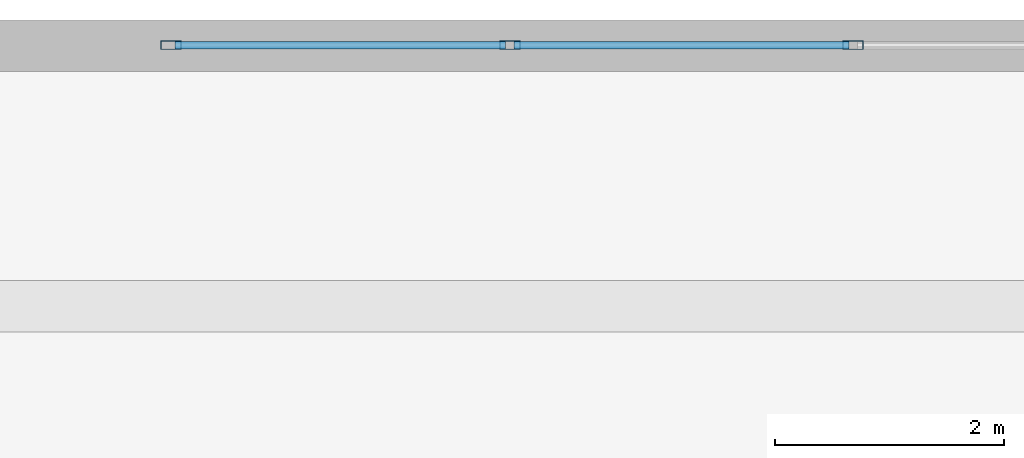
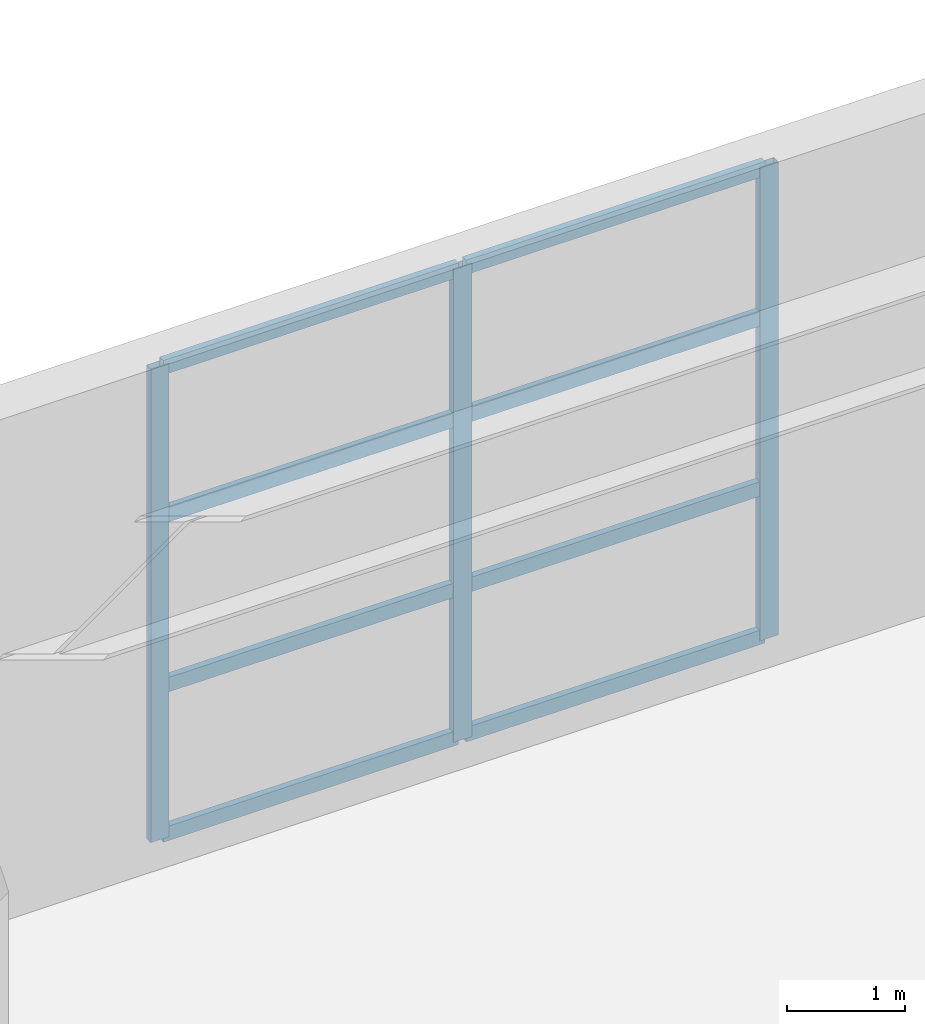
# One storey, part 18 of 35: 11 members, 1 element without a shape of its own.
"""IFC4 building model written with IfcOpenShell, lengths in metres."""

from ifc_helpers import new_model, si_unit, direction, frame, origin, origin_2d, place, context, subcontext, project, spatial, hollow_rectangle, extrude, material, layer, layer_set, material_profile, profile_set, type_object, element, aggregate, save


model = new_model("IFC4")

# Units and contexts
model_context = context("Model", 3, precision=1e-05, world=origin(), true_north=direction((0.0, 1.0)))
body_context = subcontext(model_context, "Body", "Model", "MODEL_VIEW")
ifc_project = project(units=[si_unit("LENGTHUNIT", "METRE"), si_unit("AREAUNIT", "SQUARE_METRE"), si_unit("VOLUMEUNIT", "CUBIC_METRE"), si_unit("PLANEANGLEUNIT", "RADIAN"), si_unit("MASSUNIT", "GRAM", prefix="KILO")], contexts=[model_context])

# Site, building, storey
site_placement = place(None, origin())
site = spatial("IfcSite", under=ifc_project, at=site_placement, CompositionType="ELEMENT")
building_placement = place(site_placement, origin())
building = spatial("IfcBuilding", under=site, at=building_placement, Name="Qiaolan Cultural Towers", CompositionType="ELEMENT")
storey_placement = place(building_placement, frame((0.0, 0.0, 6.0)))
storey = spatial("IfcBuildingStorey", under=building, at=storey_placement, Name="L01", CompositionType="ELEMENT", Elevation=6.0)

# Curtain wall, members
ifc_material_1 = material(Name="Unitized Anodized Aluminium Curtain Wall System", Category="aluminium")
ifc_layer = layer(ifc_material_1, 0.199951171875)
ifc_layer_set = layer_set([ifc_layer], Name="Unitized Anodized Aluminium Curtain Wall System")
curtain_wall_type = type_object("IfcCurtainWallType", Name="CWS-01", PredefinedType="NOTDEFINED", material=ifc_layer_set)
curtain_wall_placement = place(storey_placement, origin())
curtain_wall = element("IfcCurtainWall", 1, at=curtain_wall_placement, inside=storey, type_object=curtain_wall_type, Name="L01 North Atrium Curtain Wall", PredefinedType="NOTDEFINED")
ifc_material_2 = material(Name="Extruded Aluminium 6063-T6", Category="aluminium")
ifc_material_profile_1 = material_profile(ifc_material_2, hollow_rectangle(XDim=0.074951171875, YDim=0.179931640625, WallThickness=0.00390625, at=origin_2d()), Name="CWM-180x75x4")
ifc_profile_set_1 = profile_set([ifc_material_profile_1], Name="Extruded Aluminium 6063-T6")
member_type_1 = type_object("IfcMemberType", Name="CWS-01-MUL", PredefinedType="MULLION", material=ifc_profile_set_1)
member_1_placement = place(storey_placement, frame((50.03759765625, 67.780029296875, 0.14990234375), z_axis=(0.0, 0.0, 1.0), x_axis=(0.0, 1.0, 0.0)))
member_1 = element("IfcMember", 2, at=member_1_placement, type_object=member_type_1, Name="CW-1 mullion 1", PredefinedType="MULLION", context=body_context, shape_type="SweptSolid", body=[
    extrude(hollow_rectangle(XDim=0.074951171875, YDim=0.179931640625, WallThickness=0.00390625, at=origin_2d()), origin(), (0.0, 0.0, 1.0), 4.900146484375),
])
member_2_placement = place(storey_placement, frame((53.0, 67.780029296875, 0.14990234375), z_axis=(0.0, 0.0, 1.0), x_axis=(0.0, 1.0, 0.0)))
member_2 = element("IfcMember", 3, at=member_2_placement, type_object=member_type_1, Name="CW-1 mullion 2", PredefinedType="MULLION", context=body_context, shape_type="SweptSolid", body=[
    extrude(hollow_rectangle(XDim=0.074951171875, YDim=0.179931640625, WallThickness=0.00390625, at=origin_2d()), origin(), (0.0, 0.0, 1.0), 4.900146484375),
])
member_3_placement = place(storey_placement, frame((56.0, 67.780029296875, 0.14990234375), z_axis=(0.0, 0.0, 1.0), x_axis=(0.0, 1.0, 0.0)))
member_3 = element("IfcMember", 4, at=member_3_placement, type_object=member_type_1, Name="CW-1 mullion 3", PredefinedType="MULLION", context=body_context, shape_type="SweptSolid", body=[
    extrude(hollow_rectangle(XDim=0.074951171875, YDim=0.179931640625, WallThickness=0.00390625, at=origin_2d()), origin(), (0.0, 0.0, 1.0), 4.900146484375),
])
ifc_material_3 = material(Name="Extruded Aluminium 6063-T6", Category="aluminium")
ifc_material_profile_2 = material_profile(ifc_material_3, hollow_rectangle(XDim=0.06494140625, YDim=0.14990234375, WallThickness=0.00390625, at=origin_2d()), Name="CWT-150x65x4")
ifc_profile_set_2 = profile_set([ifc_material_profile_2], Name="Extruded Aluminium 6063-T6")
member_type_2 = type_object("IfcMemberType", Name="CWS-01-TRN", PredefinedType="USERDEFINED", material=ifc_profile_set_2)
member_4_placement = place(storey_placement, frame((50.074951171875, 67.780029296875, 0.1826171875), z_axis=(1.0, 0.0, 0.0), x_axis=(0.0, 1.0, 0.0)))
member_4 = element("IfcMember", 5, at=member_4_placement, type_object=member_type_2, Name="CW-1 transom 1.1", ObjectType="TRANSOM", PredefinedType="USERDEFINED", context=body_context, shape_type="SweptSolid", body=[
    extrude(hollow_rectangle(XDim=0.06494140625, YDim=0.14990234375, WallThickness=0.00390625, at=origin_2d()), origin(), (0.0, 0.0, 1.0), 2.887451171875),
])
member_5_placement = place(storey_placement, frame((50.074951171875, 67.780029296875, 1.719970703125), z_axis=(1.0, 0.0, 0.0), x_axis=(0.0, 1.0, 0.0)))
member_5 = element("IfcMember", 6, at=member_5_placement, type_object=member_type_2, Name="CW-1 transom 1.2", ObjectType="TRANSOM", PredefinedType="USERDEFINED", context=body_context, shape_type="SweptSolid", body=[
    extrude(hollow_rectangle(XDim=0.06494140625, YDim=0.14990234375, WallThickness=0.00390625, at=origin_2d()), origin(), (0.0, 0.0, 1.0), 2.887451171875),
])
member_6_placement = place(storey_placement, frame((50.074951171875, 67.780029296875, 3.47998046875), z_axis=(1.0, 0.0, 0.0), x_axis=(0.0, 1.0, 0.0)))
member_6 = element("IfcMember", 7, at=member_6_placement, type_object=member_type_2, Name="CW-1 transom 1.3", ObjectType="TRANSOM", PredefinedType="USERDEFINED", context=body_context, shape_type="SweptSolid", body=[
    extrude(hollow_rectangle(XDim=0.06494140625, YDim=0.14990234375, WallThickness=0.00390625, at=origin_2d()), origin(), (0.0, 0.0, 1.0), 2.887451171875),
])
member_7_placement = place(storey_placement, frame((50.074951171875, 67.780029296875, 5.017578125), z_axis=(1.0, 0.0, 0.0), x_axis=(0.0, 1.0, 0.0)))
member_7 = element("IfcMember", 8, at=member_7_placement, type_object=member_type_2, Name="CW-1 transom 1.4", ObjectType="TRANSOM", PredefinedType="USERDEFINED", context=body_context, shape_type="SweptSolid", body=[
    extrude(hollow_rectangle(XDim=0.06494140625, YDim=0.14990234375, WallThickness=0.00390625, at=origin_2d()), origin(), (0.0, 0.0, 1.0), 2.887451171875),
])
member_8_placement = place(storey_placement, frame((53.03759765625, 67.780029296875, 0.1826171875), z_axis=(1.0, 0.0, 0.0), x_axis=(0.0, 1.0, 0.0)))
member_8 = element("IfcMember", 9, at=member_8_placement, type_object=member_type_2, Name="CW-1 transom 2.1", ObjectType="TRANSOM", PredefinedType="USERDEFINED", context=body_context, shape_type="SweptSolid", body=[
    extrude(hollow_rectangle(XDim=0.06494140625, YDim=0.14990234375, WallThickness=0.00390625, at=origin_2d()), origin(), (0.0, 0.0, 1.0), 2.9248046875),
])
member_9_placement = place(storey_placement, frame((53.03759765625, 67.780029296875, 1.719970703125), z_axis=(1.0, 0.0, 0.0), x_axis=(0.0, 1.0, 0.0)))
member_9 = element("IfcMember", 10, at=member_9_placement, type_object=member_type_2, Name="CW-1 transom 2.2", ObjectType="TRANSOM", PredefinedType="USERDEFINED", context=body_context, shape_type="SweptSolid", body=[
    extrude(hollow_rectangle(XDim=0.06494140625, YDim=0.14990234375, WallThickness=0.00390625, at=origin_2d()), origin(), (0.0, 0.0, 1.0), 2.9248046875),
])
member_10_placement = place(storey_placement, frame((53.03759765625, 67.780029296875, 3.47998046875), z_axis=(1.0, 0.0, 0.0), x_axis=(0.0, 1.0, 0.0)))
member_10 = element("IfcMember", 11, at=member_10_placement, type_object=member_type_2, Name="CW-1 transom 2.3", ObjectType="TRANSOM", PredefinedType="USERDEFINED", context=body_context, shape_type="SweptSolid", body=[
    extrude(hollow_rectangle(XDim=0.06494140625, YDim=0.14990234375, WallThickness=0.00390625, at=origin_2d()), origin(), (0.0, 0.0, 1.0), 2.9248046875),
])
member_11_placement = place(storey_placement, frame((53.03759765625, 67.780029296875, 5.017578125), z_axis=(1.0, 0.0, 0.0), x_axis=(0.0, 1.0, 0.0)))
member_11 = element("IfcMember", 12, at=member_11_placement, type_object=member_type_2, Name="CW-1 transom 2.4", ObjectType="TRANSOM", PredefinedType="USERDEFINED", context=body_context, shape_type="SweptSolid", body=[
    extrude(hollow_rectangle(XDim=0.06494140625, YDim=0.14990234375, WallThickness=0.00390625, at=origin_2d()), origin(), (0.0, 0.0, 1.0), 2.9248046875),
])
aggregate(curtain_wall, [member_1, member_2, member_3, member_4, member_5, member_6, member_7, member_8, member_9, member_10, member_11])

save(model, "model.ifc")
